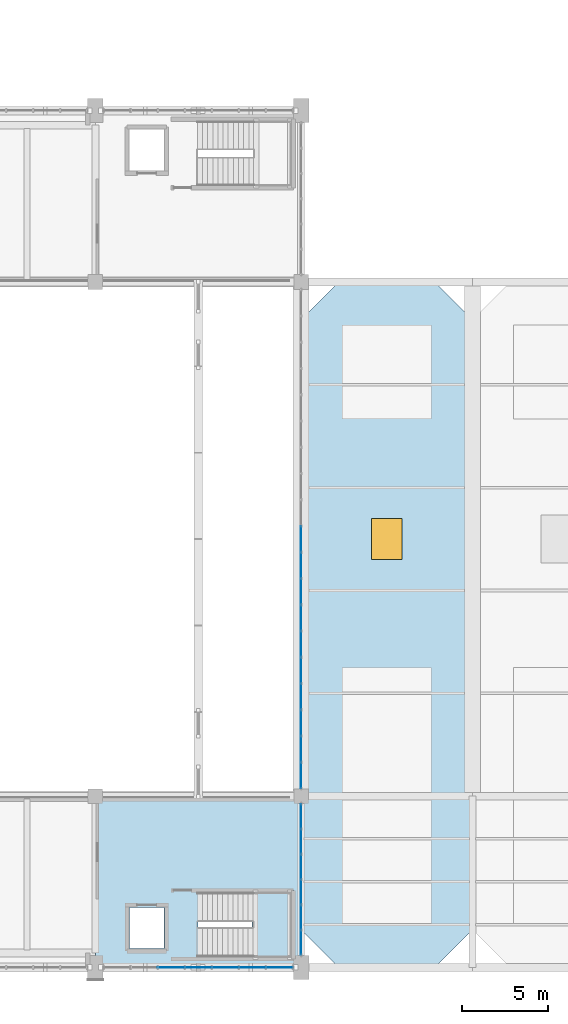
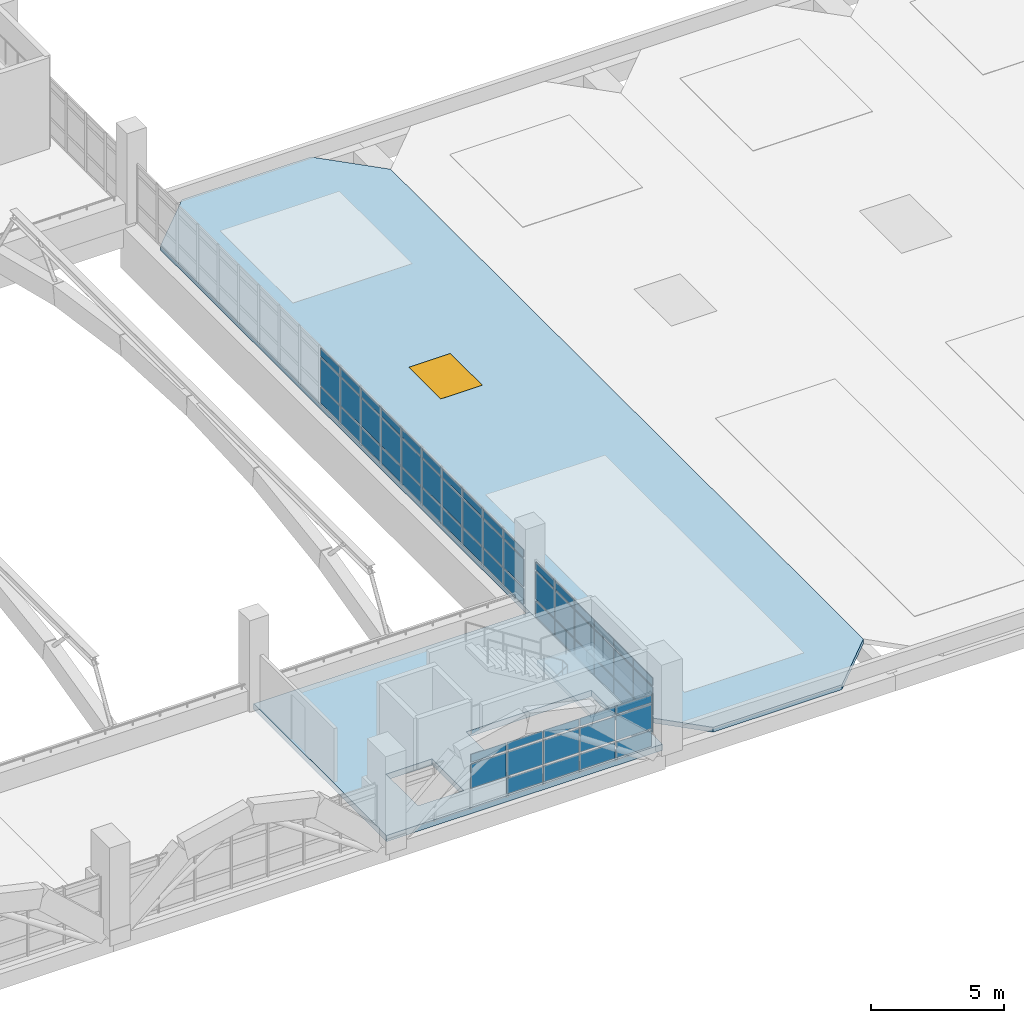
# One storey, part 126 of 161: 62 plates, 3 slabs, 1 window, 1 opening, 4 elements without a shape of their own.
"""IFC4 building model written with IfcOpenShell, lengths in metres."""

from ifc_helpers import new_model, si_unit, direction, frame, origin, origin_2d, place, context, subcontext, project, spatial, polyline, rectangle, outline, extrude, material, layer, layer_set, type_object, element, fill, aggregate, save


model = new_model("IFC4")

# Units and contexts
model_context = context("Model", 3, precision=1e-05, world=origin(), true_north=direction((0.0, 1.0)))
body_context = subcontext(model_context, "Body", "Model", "MODEL_VIEW")
ifc_project = project(units=[si_unit("LENGTHUNIT", "METRE"), si_unit("AREAUNIT", "SQUARE_METRE"), si_unit("VOLUMEUNIT", "CUBIC_METRE"), si_unit("PLANEANGLEUNIT", "RADIAN"), si_unit("MASSUNIT", "GRAM", prefix="KILO")], contexts=[model_context])

# Site, building, storey
site_placement = place(None, origin())
site = spatial("IfcSite", under=ifc_project, at=site_placement, CompositionType="ELEMENT")
building_placement = place(site_placement, origin())
building = spatial("IfcBuilding", under=site, at=building_placement, Name="Mersad Railyard Sports Hall", CompositionType="ELEMENT")
storey_placement = place(building_placement, frame((0.0, 0.0, 4.800048828125)))
storey = spatial("IfcBuildingStorey", under=building, at=storey_placement, Name="L01", CompositionType="ELEMENT", Elevation=4.800048828125)

# Curtain wall, plates
ifc_material_1 = material(Name="Aluminium 6063-T6", Category="aluminium")
ifc_layer_1 = layer(ifc_material_1, 0.199951171875)
ifc_layer_set_1 = layer_set([ifc_layer_1], Name="Aluminium 6063-T6")
curtain_wall_type_1 = type_object("IfcCurtainWallType", Name="ARC-CW-CW02", PredefinedType="USERDEFINED", material=ifc_layer_set_1)
curtain_wall_1_placement = place(storey_placement, origin())
curtain_wall_1 = element("IfcCurtainWall", 1, at=curtain_wall_1_placement, inside=storey, type_object=curtain_wall_type_1, Name="Curtain wall CW02-0020", ObjectType="CURTAIN WALL", PredefinedType="USERDEFINED")
ifc_material_2 = material(Name="Solar-control glass", Category="glass")
ifc_layer_2 = layer(ifc_material_2, 0.028076171875)
ifc_layer_set_2 = layer_set([ifc_layer_2], Name="Solar-control glass")
plate_type = type_object("IfcPlateType", Name="ARC-CW-PNL01", PredefinedType="CURTAIN_PANEL", material=ifc_layer_set_2)
plate_1_placement = place(storey_placement, frame((89.739990234375, 3.5, 0.0849609375), z_axis=(0.0, 0.0, 1.0), x_axis=(-1.0, 0.0, 0.0)))
plate_1 = element("IfcPlate", 2, at=plate_1_placement, type_object=plate_type, Name="CW02 Glazed panel 1-1", PredefinedType="CURTAIN_PANEL", context=body_context, shape_type="SweptSolid", body=[
    extrude(rectangle(XDim=1.535888671875, YDim=0.028076171875, at=origin_2d()), origin(), (0.0, 0.0, 1.0), 0.719970703125),
])
plate_2_placement = place(storey_placement, frame((89.739990234375, 3.5, 0.89501953125), z_axis=(0.0, 0.0, 1.0), x_axis=(-1.0, 0.0, 0.0)))
plate_2 = element("IfcPlate", 3, at=plate_2_placement, type_object=plate_type, Name="CW02 Glazed panel 1-2", PredefinedType="CURTAIN_PANEL", context=body_context, shape_type="SweptSolid", body=[
    extrude(rectangle(XDim=1.535888671875, YDim=0.028076171875, at=origin_2d()), origin(), (0.0, 0.0, 1.0), 1.110107421875),
])
plate_3_placement = place(storey_placement, frame((89.739990234375, 3.5, 2.094970703125), z_axis=(0.0, 0.0, 1.0), x_axis=(-1.0, 0.0, 0.0)))
plate_3 = element("IfcPlate", 4, at=plate_3_placement, type_object=plate_type, Name="CW02 Glazed panel 1-3", PredefinedType="CURTAIN_PANEL", context=body_context, shape_type="SweptSolid", body=[
    extrude(rectangle(XDim=1.535888671875, YDim=0.028076171875, at=origin_2d()), origin(), (0.0, 0.0, 1.0), 0.35009765625),
])
plate_4_placement = place(storey_placement, frame((88.159912109375, 3.5, 0.0849609375), z_axis=(0.0, 0.0, 1.0), x_axis=(-1.0, 0.0, 0.0)))
plate_4 = element("IfcPlate", 5, at=plate_4_placement, type_object=plate_type, Name="CW02 Glazed panel 2-1", PredefinedType="CURTAIN_PANEL", context=body_context, shape_type="SweptSolid", body=[
    extrude(rectangle(XDim=1.535888671875, YDim=0.028076171875, at=origin_2d()), origin(), (0.0, 0.0, 1.0), 0.719970703125),
])
plate_5_placement = place(storey_placement, frame((88.159912109375, 3.5, 0.89501953125), z_axis=(0.0, 0.0, 1.0), x_axis=(-1.0, 0.0, 0.0)))
plate_5 = element("IfcPlate", 6, at=plate_5_placement, type_object=plate_type, Name="CW02 Glazed panel 2-2", PredefinedType="CURTAIN_PANEL", context=body_context, shape_type="SweptSolid", body=[
    extrude(rectangle(XDim=1.535888671875, YDim=0.028076171875, at=origin_2d()), origin(), (0.0, 0.0, 1.0), 1.110107421875),
])
plate_6_placement = place(storey_placement, frame((88.159912109375, 3.5, 2.094970703125), z_axis=(0.0, 0.0, 1.0), x_axis=(-1.0, 0.0, 0.0)))
plate_6 = element("IfcPlate", 7, at=plate_6_placement, type_object=plate_type, Name="CW02 Glazed panel 2-3", PredefinedType="CURTAIN_PANEL", context=body_context, shape_type="SweptSolid", body=[
    extrude(rectangle(XDim=1.535888671875, YDim=0.028076171875, at=origin_2d()), origin(), (0.0, 0.0, 1.0), 0.35009765625),
])
plate_7_placement = place(storey_placement, frame((86.580078125, 3.5, 0.0849609375), z_axis=(0.0, 0.0, 1.0), x_axis=(-1.0, 0.0, 0.0)))
plate_7 = element("IfcPlate", 8, at=plate_7_placement, type_object=plate_type, Name="CW02 Glazed panel 3-1", PredefinedType="CURTAIN_PANEL", context=body_context, shape_type="SweptSolid", body=[
    extrude(rectangle(XDim=1.535888671875, YDim=0.028076171875, at=origin_2d()), origin(), (0.0, 0.0, 1.0), 0.719970703125),
])
plate_8_placement = place(storey_placement, frame((86.580078125, 3.5, 0.89501953125), z_axis=(0.0, 0.0, 1.0), x_axis=(-1.0, 0.0, 0.0)))
plate_8 = element("IfcPlate", 9, at=plate_8_placement, type_object=plate_type, Name="CW02 Glazed panel 3-2", PredefinedType="CURTAIN_PANEL", context=body_context, shape_type="SweptSolid", body=[
    extrude(rectangle(XDim=1.535888671875, YDim=0.028076171875, at=origin_2d()), origin(), (0.0, 0.0, 1.0), 1.110107421875),
])
plate_9_placement = place(storey_placement, frame((86.580078125, 3.5, 2.094970703125), z_axis=(0.0, 0.0, 1.0), x_axis=(-1.0, 0.0, 0.0)))
plate_9 = element("IfcPlate", 10, at=plate_9_placement, type_object=plate_type, Name="CW02 Glazed panel 3-3", PredefinedType="CURTAIN_PANEL", context=body_context, shape_type="SweptSolid", body=[
    extrude(rectangle(XDim=1.535888671875, YDim=0.028076171875, at=origin_2d()), origin(), (0.0, 0.0, 1.0), 0.35009765625),
])
plate_10_placement = place(storey_placement, frame((85.0, 3.5, 0.0849609375), z_axis=(0.0, 0.0, 1.0), x_axis=(-1.0, 0.0, 0.0)))
plate_10 = element("IfcPlate", 11, at=plate_10_placement, type_object=plate_type, Name="CW02 Glazed panel 4-1", PredefinedType="CURTAIN_PANEL", context=body_context, shape_type="SweptSolid", body=[
    extrude(rectangle(XDim=1.535888671875, YDim=0.028076171875, at=origin_2d()), origin(), (0.0, 0.0, 1.0), 0.719970703125),
])
plate_11_placement = place(storey_placement, frame((85.0, 3.5, 0.89501953125), z_axis=(0.0, 0.0, 1.0), x_axis=(-1.0, 0.0, 0.0)))
plate_11 = element("IfcPlate", 12, at=plate_11_placement, type_object=plate_type, Name="CW02 Glazed panel 4-2", PredefinedType="CURTAIN_PANEL", context=body_context, shape_type="SweptSolid", body=[
    extrude(rectangle(XDim=1.535888671875, YDim=0.028076171875, at=origin_2d()), origin(), (0.0, 0.0, 1.0), 1.110107421875),
])
plate_12_placement = place(storey_placement, frame((85.0, 3.5, 2.094970703125), z_axis=(0.0, 0.0, 1.0), x_axis=(-1.0, 0.0, 0.0)))
plate_12 = element("IfcPlate", 13, at=plate_12_placement, type_object=plate_type, Name="CW02 Glazed panel 4-3", PredefinedType="CURTAIN_PANEL", context=body_context, shape_type="SweptSolid", body=[
    extrude(rectangle(XDim=1.535888671875, YDim=0.028076171875, at=origin_2d()), origin(), (0.0, 0.0, 1.0), 0.35009765625),
])
plate_13_placement = place(storey_placement, frame((83.419921875, 3.5, 0.89501953125), z_axis=(0.0, 0.0, 1.0), x_axis=(-1.0, 0.0, 0.0)))
plate_13 = element("IfcPlate", 14, at=plate_13_placement, type_object=plate_type, Name="CW02 Glazed panel 5-2", PredefinedType="CURTAIN_PANEL", context=body_context, shape_type="SweptSolid", body=[
    extrude(rectangle(XDim=1.535888671875, YDim=0.028076171875, at=origin_2d()), origin(), (0.0, 0.0, 1.0), 1.110107421875),
])
plate_14_placement = place(storey_placement, frame((83.419921875, 3.5, 2.094970703125), z_axis=(0.0, 0.0, 1.0), x_axis=(-1.0, 0.0, 0.0)))
plate_14 = element("IfcPlate", 15, at=plate_14_placement, type_object=plate_type, Name="CW02 Glazed panel 5-3", PredefinedType="CURTAIN_PANEL", context=body_context, shape_type="SweptSolid", body=[
    extrude(rectangle(XDim=1.535888671875, YDim=0.028076171875, at=origin_2d()), origin(), (0.0, 0.0, 1.0), 0.35009765625),
])
aggregate(curtain_wall_1, [plate_1, plate_2, plate_3, plate_4, plate_5, plate_6, plate_7, plate_8, plate_9, plate_10, plate_11, plate_12, plate_13, plate_14])

ifc_layer_3 = layer(ifc_material_1, 0.159912109375)
ifc_layer_set_3 = layer_set([ifc_layer_3], Name="Aluminium 6063-T6")
curtain_wall_type_2 = type_object("IfcCurtainWallType", Name="ARC-CW-CW03", PredefinedType="USERDEFINED", material=ifc_layer_set_3)
curtain_wall_2_placement = place(storey_placement, origin())
curtain_wall_2 = element("IfcCurtainWall", 16, at=curtain_wall_2_placement, inside=storey, type_object=curtain_wall_type_2, Name="Curtain wall CW03-0026", ObjectType="CURTAIN WALL", PredefinedType="USERDEFINED")
plate_15_placement = place(storey_placement, frame((91.0, 12.31884765625, 0.0849609375), z_axis=(0.0, 0.0, 1.0), x_axis=(0.0, -1.0, 0.0)))
plate_15 = element("IfcPlate", 17, at=plate_15_placement, type_object=plate_type, Name="CW03 Glazed panel 1-1", PredefinedType="CURTAIN_PANEL", context=body_context, shape_type="SweptSolid", body=[
    extrude(rectangle(XDim=1.428466796875, YDim=0.028076171875, at=origin_2d()), origin(), (0.0, 0.0, 1.0), 0.719970703125),
])
plate_16_placement = place(storey_placement, frame((91.0, 12.31884765625, 0.89501953125), z_axis=(0.0, 0.0, 1.0), x_axis=(0.0, -1.0, 0.0)))
plate_16 = element("IfcPlate", 18, at=plate_16_placement, type_object=plate_type, Name="CW03 Glazed panel 1-2", PredefinedType="CURTAIN_PANEL", context=body_context, shape_type="SweptSolid", body=[
    extrude(rectangle(XDim=1.428466796875, YDim=0.028076171875, at=origin_2d()), origin(), (0.0, 0.0, 1.0), 1.260009765625),
])
plate_17_placement = place(storey_placement, frame((91.0, 12.31884765625, 2.244873046875), z_axis=(0.0, 0.0, 1.0), x_axis=(0.0, -1.0, 0.0)))
plate_17 = element("IfcPlate", 19, at=plate_17_placement, type_object=plate_type, Name="CW03 Glazed panel 1-3", PredefinedType="CURTAIN_PANEL", context=body_context, shape_type="SweptSolid", body=[
    extrude(rectangle(XDim=1.428466796875, YDim=0.028076171875, at=origin_2d()), origin(), (0.0, 0.0, 1.0), 0.35009765625),
])
plate_18_placement = place(storey_placement, frame((91.0, 10.84619140625, 0.0849609375), z_axis=(0.0, 0.0, 1.0), x_axis=(0.0, -1.0, 0.0)))
plate_18 = element("IfcPlate", 20, at=plate_18_placement, type_object=plate_type, Name="CW03 Glazed panel 2-1", PredefinedType="CURTAIN_PANEL", context=body_context, shape_type="SweptSolid", body=[
    extrude(rectangle(XDim=1.428466796875, YDim=0.028076171875, at=origin_2d()), origin(), (0.0, 0.0, 1.0), 0.719970703125),
])
plate_19_placement = place(storey_placement, frame((91.0, 10.84619140625, 0.89501953125), z_axis=(0.0, 0.0, 1.0), x_axis=(0.0, -1.0, 0.0)))
plate_19 = element("IfcPlate", 21, at=plate_19_placement, type_object=plate_type, Name="CW03 Glazed panel 2-2", PredefinedType="CURTAIN_PANEL", context=body_context, shape_type="SweptSolid", body=[
    extrude(rectangle(XDim=1.428466796875, YDim=0.028076171875, at=origin_2d()), origin(), (0.0, 0.0, 1.0), 1.260009765625),
])
plate_20_placement = place(storey_placement, frame((91.0, 10.84619140625, 2.244873046875), z_axis=(0.0, 0.0, 1.0), x_axis=(0.0, -1.0, 0.0)))
plate_20 = element("IfcPlate", 22, at=plate_20_placement, type_object=plate_type, Name="CW03 Glazed panel 2-3", PredefinedType="CURTAIN_PANEL", context=body_context, shape_type="SweptSolid", body=[
    extrude(rectangle(XDim=1.428466796875, YDim=0.028076171875, at=origin_2d()), origin(), (0.0, 0.0, 1.0), 0.35009765625),
])
plate_21_placement = place(storey_placement, frame((91.0, 9.373779296875, 0.0849609375), z_axis=(0.0, 0.0, 1.0), x_axis=(0.0, -1.0, 0.0)))
plate_21 = element("IfcPlate", 23, at=plate_21_placement, type_object=plate_type, Name="CW03 Glazed panel 3-1", PredefinedType="CURTAIN_PANEL", context=body_context, shape_type="SweptSolid", body=[
    extrude(rectangle(XDim=1.428466796875, YDim=0.028076171875, at=origin_2d()), origin(), (0.0, 0.0, 1.0), 0.719970703125),
])
plate_22_placement = place(storey_placement, frame((91.0, 9.373779296875, 0.89501953125), z_axis=(0.0, 0.0, 1.0), x_axis=(0.0, -1.0, 0.0)))
plate_22 = element("IfcPlate", 24, at=plate_22_placement, type_object=plate_type, Name="CW03 Glazed panel 3-2", PredefinedType="CURTAIN_PANEL", context=body_context, shape_type="SweptSolid", body=[
    extrude(rectangle(XDim=1.428466796875, YDim=0.028076171875, at=origin_2d()), origin(), (0.0, 0.0, 1.0), 1.260009765625),
])
plate_23_placement = place(storey_placement, frame((91.0, 9.373779296875, 2.244873046875), z_axis=(0.0, 0.0, 1.0), x_axis=(0.0, -1.0, 0.0)))
plate_23 = element("IfcPlate", 25, at=plate_23_placement, type_object=plate_type, Name="CW03 Glazed panel 3-3", PredefinedType="CURTAIN_PANEL", context=body_context, shape_type="SweptSolid", body=[
    extrude(rectangle(XDim=1.428466796875, YDim=0.028076171875, at=origin_2d()), origin(), (0.0, 0.0, 1.0), 0.35009765625),
])
plate_24_placement = place(storey_placement, frame((91.0, 7.9013671875, 0.0849609375), z_axis=(0.0, 0.0, 1.0), x_axis=(0.0, -1.0, 0.0)))
plate_24 = element("IfcPlate", 26, at=plate_24_placement, type_object=plate_type, Name="CW03 Glazed panel 4-1", PredefinedType="CURTAIN_PANEL", context=body_context, shape_type="SweptSolid", body=[
    extrude(rectangle(XDim=1.428466796875, YDim=0.028076171875, at=origin_2d()), origin(), (0.0, 0.0, 1.0), 0.719970703125),
])
plate_25_placement = place(storey_placement, frame((91.0, 7.9013671875, 0.89501953125), z_axis=(0.0, 0.0, 1.0), x_axis=(0.0, -1.0, 0.0)))
plate_25 = element("IfcPlate", 27, at=plate_25_placement, type_object=plate_type, Name="CW03 Glazed panel 4-2", PredefinedType="CURTAIN_PANEL", context=body_context, shape_type="SweptSolid", body=[
    extrude(rectangle(XDim=1.428466796875, YDim=0.028076171875, at=origin_2d()), origin(), (0.0, 0.0, 1.0), 1.260009765625),
])
plate_26_placement = place(storey_placement, frame((91.0, 7.9013671875, 2.244873046875), z_axis=(0.0, 0.0, 1.0), x_axis=(0.0, -1.0, 0.0)))
plate_26 = element("IfcPlate", 28, at=plate_26_placement, type_object=plate_type, Name="CW03 Glazed panel 4-3", PredefinedType="CURTAIN_PANEL", context=body_context, shape_type="SweptSolid", body=[
    extrude(rectangle(XDim=1.428466796875, YDim=0.028076171875, at=origin_2d()), origin(), (0.0, 0.0, 1.0), 0.35009765625),
])
plate_27_placement = place(storey_placement, frame((91.0, 6.4287109375, 0.0849609375), z_axis=(0.0, 0.0, 1.0), x_axis=(0.0, -1.0, 0.0)))
plate_27 = element("IfcPlate", 29, at=plate_27_placement, type_object=plate_type, Name="CW03 Glazed panel 5-1", PredefinedType="CURTAIN_PANEL", context=body_context, shape_type="SweptSolid", body=[
    extrude(rectangle(XDim=1.428466796875, YDim=0.028076171875, at=origin_2d()), origin(), (0.0, 0.0, 1.0), 0.719970703125),
])
plate_28_placement = place(storey_placement, frame((91.0, 6.4287109375, 0.89501953125), z_axis=(0.0, 0.0, 1.0), x_axis=(0.0, -1.0, 0.0)))
plate_28 = element("IfcPlate", 30, at=plate_28_placement, type_object=plate_type, Name="CW03 Glazed panel 5-2", PredefinedType="CURTAIN_PANEL", context=body_context, shape_type="SweptSolid", body=[
    extrude(rectangle(XDim=1.428466796875, YDim=0.028076171875, at=origin_2d()), origin(), (0.0, 0.0, 1.0), 1.260009765625),
])
plate_29_placement = place(storey_placement, frame((91.0, 6.4287109375, 2.244873046875), z_axis=(0.0, 0.0, 1.0), x_axis=(0.0, -1.0, 0.0)))
plate_29 = element("IfcPlate", 31, at=plate_29_placement, type_object=plate_type, Name="CW03 Glazed panel 5-3", PredefinedType="CURTAIN_PANEL", context=body_context, shape_type="SweptSolid", body=[
    extrude(rectangle(XDim=1.428466796875, YDim=0.028076171875, at=origin_2d()), origin(), (0.0, 0.0, 1.0), 0.35009765625),
])
plate_30_placement = place(storey_placement, frame((91.0, 4.956298828125, 0.0849609375), z_axis=(0.0, 0.0, 1.0), x_axis=(0.0, -1.0, 0.0)))
plate_30 = element("IfcPlate", 32, at=plate_30_placement, type_object=plate_type, Name="CW03 Glazed panel 6-1", PredefinedType="CURTAIN_PANEL", context=body_context, shape_type="SweptSolid", body=[
    extrude(rectangle(XDim=1.428466796875, YDim=0.028076171875, at=origin_2d()), origin(), (0.0, 0.0, 1.0), 0.719970703125),
])
plate_31_placement = place(storey_placement, frame((91.0, 4.956298828125, 0.89501953125), z_axis=(0.0, 0.0, 1.0), x_axis=(0.0, -1.0, 0.0)))
plate_31 = element("IfcPlate", 33, at=plate_31_placement, type_object=plate_type, Name="CW03 Glazed panel 6-2", PredefinedType="CURTAIN_PANEL", context=body_context, shape_type="SweptSolid", body=[
    extrude(rectangle(XDim=1.428466796875, YDim=0.028076171875, at=origin_2d()), origin(), (0.0, 0.0, 1.0), 1.260009765625),
])
plate_32_placement = place(storey_placement, frame((91.0, 4.956298828125, 2.244873046875), z_axis=(0.0, 0.0, 1.0), x_axis=(0.0, -1.0, 0.0)))
plate_32 = element("IfcPlate", 34, at=plate_32_placement, type_object=plate_type, Name="CW03 Glazed panel 6-3", PredefinedType="CURTAIN_PANEL", context=body_context, shape_type="SweptSolid", body=[
    extrude(rectangle(XDim=1.428466796875, YDim=0.028076171875, at=origin_2d()), origin(), (0.0, 0.0, 1.0), 0.35009765625),
])
aggregate(curtain_wall_2, [plate_15, plate_16, plate_17, plate_18, plate_19, plate_20, plate_21, plate_22, plate_23, plate_24, plate_25, plate_26, plate_27, plate_28, plate_29, plate_30, plate_31, plate_32])

ifc_layer_4 = layer(ifc_material_1, 0.159912109375)
ifc_layer_set_4 = layer_set([ifc_layer_4], Name="Aluminium 6063-T6")
curtain_wall_type_3 = type_object("IfcCurtainWallType", Name="ARC-CW-CW05", PredefinedType="USERDEFINED", material=ifc_layer_set_4)
curtain_wall_3_placement = place(storey_placement, origin())
curtain_wall_3 = element("IfcCurtainWall", 35, at=curtain_wall_3_placement, inside=storey, type_object=curtain_wall_type_3, Name="Curtain wall CW05-0027", ObjectType="CURTAIN WALL", PredefinedType="USERDEFINED")
plate_33_placement = place(storey_placement, frame((91.0, 28.5, 0.0849609375), z_axis=(0.0, 0.0, 1.0), x_axis=(0.0, -1.0, 0.0)))
plate_33 = element("IfcPlate", 36, at=plate_33_placement, type_object=plate_type, Name="CW05 Glazed panel 10-1", PredefinedType="CURTAIN_PANEL", context=body_context, shape_type="SweptSolid", body=[
    extrude(rectangle(XDim=1.488037109375, YDim=0.028076171875, at=origin_2d()), origin(), (0.0, 0.0, 1.0), 0.719970703125),
])
plate_34_placement = place(storey_placement, frame((91.0, 28.5, 0.89501953125), z_axis=(0.0, 0.0, 1.0), x_axis=(0.0, -1.0, 0.0)))
plate_34 = element("IfcPlate", 37, at=plate_34_placement, type_object=plate_type, Name="CW05 Glazed panel 10-2", PredefinedType="CURTAIN_PANEL", context=body_context, shape_type="SweptSolid", body=[
    extrude(rectangle(XDim=1.488037109375, YDim=0.028076171875, at=origin_2d()), origin(), (0.0, 0.0, 1.0), 1.260009765625),
])
plate_35_placement = place(storey_placement, frame((91.0, 28.5, 2.244873046875), z_axis=(0.0, 0.0, 1.0), x_axis=(0.0, -1.0, 0.0)))
plate_35 = element("IfcPlate", 38, at=plate_35_placement, type_object=plate_type, Name="CW05 Glazed panel 10-3", PredefinedType="CURTAIN_PANEL", context=body_context, shape_type="SweptSolid", body=[
    extrude(rectangle(XDim=1.488037109375, YDim=0.028076171875, at=origin_2d()), origin(), (0.0, 0.0, 1.0), 0.35009765625),
])
plate_36_placement = place(storey_placement, frame((91.0, 26.9677734375, 0.0849609375), z_axis=(0.0, 0.0, 1.0), x_axis=(0.0, -1.0, 0.0)))
plate_36 = element("IfcPlate", 39, at=plate_36_placement, type_object=plate_type, Name="CW05 Glazed panel 11-1", PredefinedType="CURTAIN_PANEL", context=body_context, shape_type="SweptSolid", body=[
    extrude(rectangle(XDim=1.488037109375, YDim=0.028076171875, at=origin_2d()), origin(), (0.0, 0.0, 1.0), 0.719970703125),
])
plate_37_placement = place(storey_placement, frame((91.0, 26.9677734375, 0.89501953125), z_axis=(0.0, 0.0, 1.0), x_axis=(0.0, -1.0, 0.0)))
plate_37 = element("IfcPlate", 40, at=plate_37_placement, type_object=plate_type, Name="CW05 Glazed panel 11-2", PredefinedType="CURTAIN_PANEL", context=body_context, shape_type="SweptSolid", body=[
    extrude(rectangle(XDim=1.488037109375, YDim=0.028076171875, at=origin_2d()), origin(), (0.0, 0.0, 1.0), 1.260009765625),
])
plate_38_placement = place(storey_placement, frame((91.0, 26.9677734375, 2.244873046875), z_axis=(0.0, 0.0, 1.0), x_axis=(0.0, -1.0, 0.0)))
plate_38 = element("IfcPlate", 41, at=plate_38_placement, type_object=plate_type, Name="CW05 Glazed panel 11-3", PredefinedType="CURTAIN_PANEL", context=body_context, shape_type="SweptSolid", body=[
    extrude(rectangle(XDim=1.488037109375, YDim=0.028076171875, at=origin_2d()), origin(), (0.0, 0.0, 1.0), 0.35009765625),
])
plate_39_placement = place(storey_placement, frame((91.0, 25.435791015625, 0.0849609375), z_axis=(0.0, 0.0, 1.0), x_axis=(0.0, -1.0, 0.0)))
plate_39 = element("IfcPlate", 42, at=plate_39_placement, type_object=plate_type, Name="CW05 Glazed panel 12-1", PredefinedType="CURTAIN_PANEL", context=body_context, shape_type="SweptSolid", body=[
    extrude(rectangle(XDim=1.488037109375, YDim=0.028076171875, at=origin_2d()), origin(), (0.0, 0.0, 1.0), 0.719970703125),
])
plate_40_placement = place(storey_placement, frame((91.0, 25.435791015625, 0.89501953125), z_axis=(0.0, 0.0, 1.0), x_axis=(0.0, -1.0, 0.0)))
plate_40 = element("IfcPlate", 43, at=plate_40_placement, type_object=plate_type, Name="CW05 Glazed panel 12-2", PredefinedType="CURTAIN_PANEL", context=body_context, shape_type="SweptSolid", body=[
    extrude(rectangle(XDim=1.488037109375, YDim=0.028076171875, at=origin_2d()), origin(), (0.0, 0.0, 1.0), 1.260009765625),
])
plate_41_placement = place(storey_placement, frame((91.0, 25.435791015625, 2.244873046875), z_axis=(0.0, 0.0, 1.0), x_axis=(0.0, -1.0, 0.0)))
plate_41 = element("IfcPlate", 44, at=plate_41_placement, type_object=plate_type, Name="CW05 Glazed panel 12-3", PredefinedType="CURTAIN_PANEL", context=body_context, shape_type="SweptSolid", body=[
    extrude(rectangle(XDim=1.488037109375, YDim=0.028076171875, at=origin_2d()), origin(), (0.0, 0.0, 1.0), 0.35009765625),
])
plate_42_placement = place(storey_placement, frame((91.0, 23.903564453125, 0.0849609375), z_axis=(0.0, 0.0, 1.0), x_axis=(0.0, -1.0, 0.0)))
plate_42 = element("IfcPlate", 45, at=plate_42_placement, type_object=plate_type, Name="CW05 Glazed panel 13-1", PredefinedType="CURTAIN_PANEL", context=body_context, shape_type="SweptSolid", body=[
    extrude(rectangle(XDim=1.488037109375, YDim=0.028076171875, at=origin_2d()), origin(), (0.0, 0.0, 1.0), 0.719970703125),
])
plate_43_placement = place(storey_placement, frame((91.0, 23.903564453125, 0.89501953125), z_axis=(0.0, 0.0, 1.0), x_axis=(0.0, -1.0, 0.0)))
plate_43 = element("IfcPlate", 46, at=plate_43_placement, type_object=plate_type, Name="CW05 Glazed panel 13-2", PredefinedType="CURTAIN_PANEL", context=body_context, shape_type="SweptSolid", body=[
    extrude(rectangle(XDim=1.488037109375, YDim=0.028076171875, at=origin_2d()), origin(), (0.0, 0.0, 1.0), 1.260009765625),
])
plate_44_placement = place(storey_placement, frame((91.0, 23.903564453125, 2.244873046875), z_axis=(0.0, 0.0, 1.0), x_axis=(0.0, -1.0, 0.0)))
plate_44 = element("IfcPlate", 47, at=plate_44_placement, type_object=plate_type, Name="CW05 Glazed panel 13-3", PredefinedType="CURTAIN_PANEL", context=body_context, shape_type="SweptSolid", body=[
    extrude(rectangle(XDim=1.488037109375, YDim=0.028076171875, at=origin_2d()), origin(), (0.0, 0.0, 1.0), 0.35009765625),
])
plate_45_placement = place(storey_placement, frame((91.0, 22.37158203125, 0.0849609375), z_axis=(0.0, 0.0, 1.0), x_axis=(0.0, -1.0, 0.0)))
plate_45 = element("IfcPlate", 48, at=plate_45_placement, type_object=plate_type, Name="CW05 Glazed panel 14-1", PredefinedType="CURTAIN_PANEL", context=body_context, shape_type="SweptSolid", body=[
    extrude(rectangle(XDim=1.488037109375, YDim=0.028076171875, at=origin_2d()), origin(), (0.0, 0.0, 1.0), 0.719970703125),
])
plate_46_placement = place(storey_placement, frame((91.0, 22.37158203125, 0.89501953125), z_axis=(0.0, 0.0, 1.0), x_axis=(0.0, -1.0, 0.0)))
plate_46 = element("IfcPlate", 49, at=plate_46_placement, type_object=plate_type, Name="CW05 Glazed panel 14-2", PredefinedType="CURTAIN_PANEL", context=body_context, shape_type="SweptSolid", body=[
    extrude(rectangle(XDim=1.488037109375, YDim=0.028076171875, at=origin_2d()), origin(), (0.0, 0.0, 1.0), 1.260009765625),
])
plate_47_placement = place(storey_placement, frame((91.0, 22.37158203125, 2.244873046875), z_axis=(0.0, 0.0, 1.0), x_axis=(0.0, -1.0, 0.0)))
plate_47 = element("IfcPlate", 50, at=plate_47_placement, type_object=plate_type, Name="CW05 Glazed panel 14-3", PredefinedType="CURTAIN_PANEL", context=body_context, shape_type="SweptSolid", body=[
    extrude(rectangle(XDim=1.488037109375, YDim=0.028076171875, at=origin_2d()), origin(), (0.0, 0.0, 1.0), 0.35009765625),
])
plate_48_placement = place(storey_placement, frame((91.0, 20.83935546875, 0.0849609375), z_axis=(0.0, 0.0, 1.0), x_axis=(0.0, -1.0, 0.0)))
plate_48 = element("IfcPlate", 51, at=plate_48_placement, type_object=plate_type, Name="CW05 Glazed panel 15-1", PredefinedType="CURTAIN_PANEL", context=body_context, shape_type="SweptSolid", body=[
    extrude(rectangle(XDim=1.488037109375, YDim=0.028076171875, at=origin_2d()), origin(), (0.0, 0.0, 1.0), 0.719970703125),
])
plate_49_placement = place(storey_placement, frame((91.0, 20.83935546875, 0.89501953125), z_axis=(0.0, 0.0, 1.0), x_axis=(0.0, -1.0, 0.0)))
plate_49 = element("IfcPlate", 52, at=plate_49_placement, type_object=plate_type, Name="CW05 Glazed panel 15-2", PredefinedType="CURTAIN_PANEL", context=body_context, shape_type="SweptSolid", body=[
    extrude(rectangle(XDim=1.488037109375, YDim=0.028076171875, at=origin_2d()), origin(), (0.0, 0.0, 1.0), 1.260009765625),
])
plate_50_placement = place(storey_placement, frame((91.0, 20.83935546875, 2.244873046875), z_axis=(0.0, 0.0, 1.0), x_axis=(0.0, -1.0, 0.0)))
plate_50 = element("IfcPlate", 53, at=plate_50_placement, type_object=plate_type, Name="CW05 Glazed panel 15-3", PredefinedType="CURTAIN_PANEL", context=body_context, shape_type="SweptSolid", body=[
    extrude(rectangle(XDim=1.488037109375, YDim=0.028076171875, at=origin_2d()), origin(), (0.0, 0.0, 1.0), 0.35009765625),
])
plate_51_placement = place(storey_placement, frame((91.0, 19.307373046875, 0.0849609375), z_axis=(0.0, 0.0, 1.0), x_axis=(0.0, -1.0, 0.0)))
plate_51 = element("IfcPlate", 54, at=plate_51_placement, type_object=plate_type, Name="CW05 Glazed panel 16-1", PredefinedType="CURTAIN_PANEL", context=body_context, shape_type="SweptSolid", body=[
    extrude(rectangle(XDim=1.488037109375, YDim=0.028076171875, at=origin_2d()), origin(), (0.0, 0.0, 1.0), 0.719970703125),
])
plate_52_placement = place(storey_placement, frame((91.0, 19.307373046875, 0.89501953125), z_axis=(0.0, 0.0, 1.0), x_axis=(0.0, -1.0, 0.0)))
plate_52 = element("IfcPlate", 55, at=plate_52_placement, type_object=plate_type, Name="CW05 Glazed panel 16-2", PredefinedType="CURTAIN_PANEL", context=body_context, shape_type="SweptSolid", body=[
    extrude(rectangle(XDim=1.488037109375, YDim=0.028076171875, at=origin_2d()), origin(), (0.0, 0.0, 1.0), 1.260009765625),
])
plate_53_placement = place(storey_placement, frame((91.0, 19.307373046875, 2.244873046875), z_axis=(0.0, 0.0, 1.0), x_axis=(0.0, -1.0, 0.0)))
plate_53 = element("IfcPlate", 56, at=plate_53_placement, type_object=plate_type, Name="CW05 Glazed panel 16-3", PredefinedType="CURTAIN_PANEL", context=body_context, shape_type="SweptSolid", body=[
    extrude(rectangle(XDim=1.488037109375, YDim=0.028076171875, at=origin_2d()), origin(), (0.0, 0.0, 1.0), 0.35009765625),
])
plate_54_placement = place(storey_placement, frame((91.0, 17.775146484375, 0.0849609375), z_axis=(0.0, 0.0, 1.0), x_axis=(0.0, -1.0, 0.0)))
plate_54 = element("IfcPlate", 57, at=plate_54_placement, type_object=plate_type, Name="CW05 Glazed panel 17-1", PredefinedType="CURTAIN_PANEL", context=body_context, shape_type="SweptSolid", body=[
    extrude(rectangle(XDim=1.488037109375, YDim=0.028076171875, at=origin_2d()), origin(), (0.0, 0.0, 1.0), 0.719970703125),
])
plate_55_placement = place(storey_placement, frame((91.0, 17.775146484375, 0.89501953125), z_axis=(0.0, 0.0, 1.0), x_axis=(0.0, -1.0, 0.0)))
plate_55 = element("IfcPlate", 58, at=plate_55_placement, type_object=plate_type, Name="CW05 Glazed panel 17-2", PredefinedType="CURTAIN_PANEL", context=body_context, shape_type="SweptSolid", body=[
    extrude(rectangle(XDim=1.488037109375, YDim=0.028076171875, at=origin_2d()), origin(), (0.0, 0.0, 1.0), 1.260009765625),
])
plate_56_placement = place(storey_placement, frame((91.0, 17.775146484375, 2.244873046875), z_axis=(0.0, 0.0, 1.0), x_axis=(0.0, -1.0, 0.0)))
plate_56 = element("IfcPlate", 59, at=plate_56_placement, type_object=plate_type, Name="CW05 Glazed panel 17-3", PredefinedType="CURTAIN_PANEL", context=body_context, shape_type="SweptSolid", body=[
    extrude(rectangle(XDim=1.488037109375, YDim=0.028076171875, at=origin_2d()), origin(), (0.0, 0.0, 1.0), 0.35009765625),
])
plate_57_placement = place(storey_placement, frame((91.0, 16.2431640625, 0.0849609375), z_axis=(0.0, 0.0, 1.0), x_axis=(0.0, -1.0, 0.0)))
plate_57 = element("IfcPlate", 60, at=plate_57_placement, type_object=plate_type, Name="CW05 Glazed panel 18-1", PredefinedType="CURTAIN_PANEL", context=body_context, shape_type="SweptSolid", body=[
    extrude(rectangle(XDim=1.488037109375, YDim=0.028076171875, at=origin_2d()), origin(), (0.0, 0.0, 1.0), 0.719970703125),
])
plate_58_placement = place(storey_placement, frame((91.0, 16.2431640625, 0.89501953125), z_axis=(0.0, 0.0, 1.0), x_axis=(0.0, -1.0, 0.0)))
plate_58 = element("IfcPlate", 61, at=plate_58_placement, type_object=plate_type, Name="CW05 Glazed panel 18-2", PredefinedType="CURTAIN_PANEL", context=body_context, shape_type="SweptSolid", body=[
    extrude(rectangle(XDim=1.488037109375, YDim=0.028076171875, at=origin_2d()), origin(), (0.0, 0.0, 1.0), 1.260009765625),
])
plate_59_placement = place(storey_placement, frame((91.0, 16.2431640625, 2.244873046875), z_axis=(0.0, 0.0, 1.0), x_axis=(0.0, -1.0, 0.0)))
plate_59 = element("IfcPlate", 62, at=plate_59_placement, type_object=plate_type, Name="CW05 Glazed panel 18-3", PredefinedType="CURTAIN_PANEL", context=body_context, shape_type="SweptSolid", body=[
    extrude(rectangle(XDim=1.488037109375, YDim=0.028076171875, at=origin_2d()), origin(), (0.0, 0.0, 1.0), 0.35009765625),
])
plate_60_placement = place(storey_placement, frame((91.0, 14.7109375, 0.0849609375), z_axis=(0.0, 0.0, 1.0), x_axis=(0.0, -1.0, 0.0)))
plate_60 = element("IfcPlate", 63, at=plate_60_placement, type_object=plate_type, Name="CW05 Glazed panel 19-1", PredefinedType="CURTAIN_PANEL", context=body_context, shape_type="SweptSolid", body=[
    extrude(rectangle(XDim=1.488037109375, YDim=0.028076171875, at=origin_2d()), origin(), (0.0, 0.0, 1.0), 0.719970703125),
])
plate_61_placement = place(storey_placement, frame((91.0, 14.7109375, 0.89501953125), z_axis=(0.0, 0.0, 1.0), x_axis=(0.0, -1.0, 0.0)))
plate_61 = element("IfcPlate", 64, at=plate_61_placement, type_object=plate_type, Name="CW05 Glazed panel 19-2", PredefinedType="CURTAIN_PANEL", context=body_context, shape_type="SweptSolid", body=[
    extrude(rectangle(XDim=1.488037109375, YDim=0.028076171875, at=origin_2d()), origin(), (0.0, 0.0, 1.0), 1.260009765625),
])
plate_62_placement = place(storey_placement, frame((91.0, 14.7109375, 2.244873046875), z_axis=(0.0, 0.0, 1.0), x_axis=(0.0, -1.0, 0.0)))
plate_62 = element("IfcPlate", 65, at=plate_62_placement, type_object=plate_type, Name="CW05 Glazed panel 19-3", PredefinedType="CURTAIN_PANEL", context=body_context, shape_type="SweptSolid", body=[
    extrude(rectangle(XDim=1.488037109375, YDim=0.028076171875, at=origin_2d()), origin(), (0.0, 0.0, 1.0), 0.35009765625),
])
aggregate(curtain_wall_3, [plate_33, plate_34, plate_35, plate_36, plate_37, plate_38, plate_39, plate_40, plate_41, plate_42, plate_43, plate_44, plate_45, plate_46, plate_47, plate_48, plate_49, plate_50, plate_51, plate_52, plate_53, plate_54, plate_55, plate_56, plate_57, plate_58, plate_59, plate_60, plate_61, plate_62])

# Slab
ifc_material_3 = material(Name="Concrete C40/50", Category="concrete")
ifc_layer_5 = layer(ifc_material_3, 0.280029296875)
ifc_layer_set_5 = layer_set([ifc_layer_5], Name="Concrete C40/50")
slab_type_1 = type_object("IfcSlabType", Name="STR-SL-FL02", PredefinedType="FLOOR", material=ifc_layer_set_5)
slab_1_placement = place(storey_placement, frame((0.0, 0.0, -0.280029296875)))
element("IfcSlab", 66, at=slab_1_placement, inside=storey, type_object=slab_type_1, Name="Slab SL02-0049", PredefinedType="FLOOR", context=body_context, shape_type="SweptSolid", body=[
    extrude(outline(polyline([(79.0, 3.5), (91.0, 3.5), (91.0, 13.5), (79.0, 13.5), (79.0, 3.5)]), holes=[polyline([(84.989990234375, 4.10009765625), (90.449951171875, 4.10009765625), (90.449951171875, 7.89990234375), (84.989990234375, 7.89990234375), (84.989990234375, 4.10009765625)]), polyline([(81.0, 4.60009765625), (83.0, 4.60009765625), (83.0, 7.0), (81.0, 7.0), (81.0, 4.60009765625)])]), origin(), (0.0, 0.0, 1.0), 0.280029296875),
])

# Stair, slab
stair_type = type_object("IfcStairType", Name="ARC-ST-ST06B", PredefinedType="HALF_TURN_STAIR", material=ifc_material_3)
stair_placement = place(storey_placement, origin())
stair = element("IfcStair", 67, at=stair_placement, inside=storey, type_object=stair_type, Name="SE Pavilion Pitch Stair L01-L02", PredefinedType="HALF_TURN_STAIR")
ifc_material_4 = material(Name="Precast concrete C45/55", Category="concrete")
ifc_layer_6 = layer(ifc_material_4, 0.199951171875)
ifc_layer_set_6 = layer_set([ifc_layer_6], Name="Precast concrete C45/55")
slab_type_2 = type_object("IfcSlabType", Name="STR-SL-LD02", PredefinedType="LANDING", material=ifc_layer_set_6)
slab_2_placement = place(storey_placement, frame((0.0, 0.0, 1.919921875)))
slab_2 = element("IfcSlab", 68, at=slab_2_placement, type_object=slab_type_2, Name="SE Pavilion Pitch Stair L01-L02 Half Landing", PredefinedType="LANDING", context=body_context, shape_type="SweptSolid", body=[
    extrude(outline(polyline([(88.14599609375, 3.97998046875), (90.570068359375, 3.97998046875), (90.570068359375, 8.02001953125), (88.14599609375, 8.02001953125), (88.14599609375, 3.97998046875)])), origin(), (0.0, 0.0, 1.0), 0.179931640625),
])
aggregate(stair, [slab_2])

# Slab, opening, window
ifc_material_5 = material(Name="Architectural concrete C50/60", Category="concrete")
ifc_layer_7 = layer(ifc_material_5, 0.219970703125)
ifc_layer_set_7 = layer_set([ifc_layer_7], Name="Architectural concrete C50/60")
slab_type_3 = type_object("IfcSlabType", Name="STR-SL-RF01", PredefinedType="ROOF", material=ifc_layer_set_7)
slab_3_placement = place(storey_placement, frame((0.0, 0.0, -0.219970703125)))
slab_3 = element("IfcSlab", 69, at=slab_3_placement, inside=storey, type_object=slab_type_3, Name="Slab RS01-0051", PredefinedType="ROOF", context=body_context, shape_type="SweptSolid", body=[
    extrude(outline(polyline([(93.199951171875, 3.5), (98.800048828125, 3.5), (101.0, 5.699951171875), (101.0, 41.300048828125), (98.800048828125, 43.5), (93.199951171875, 43.5), (91.0, 41.300048828125), (91.0, 5.699951171875), (93.199951171875, 3.5)])), origin(), (0.0, 0.0, 1.0), 0.219970703125),
])
opening_placement = place(slab_3_placement, frame((96.0, 28.5, -0.010009765625)))
opening = element("IfcOpeningElement", 70, at=opening_placement, cuts=slab_3, Name="Opening SK01", PredefinedType="OPENING", context=body_context, shape_type="SweptSolid", body=[
    extrude(rectangle(XDim=1.800048828125, YDim=2.39990234375, at=origin_2d()), origin(), (0.0, 0.0, 1.0), 0.239990234375),
])
window_type = type_object("IfcWindowType", Name="ARC-SK-SK01", PartitioningType="SINGLE_PANEL", PredefinedType="SKYLIGHT", material=ifc_material_2)
window_placement = place(slab_3_placement, frame((96.0, 28.5, 0.169921875)))
window = element("IfcWindow", 71, at=window_placement, inside=storey, type_object=window_type, Name="Foyer skylight SK01-1", OverallHeight=2.39990234375, OverallWidth=1.800048828125, PartitioningType="SINGLE_PANEL", PredefinedType="SKYLIGHT", context=body_context, shape_type="SweptSolid", body=[
    extrude(rectangle(XDim=1.800048828125, YDim=2.39990234375, at=origin_2d()), origin(), (0.0, 0.0, 1.0), 0.050048828125),
])
fill(opening, window)

save(model, "model.ifc")
